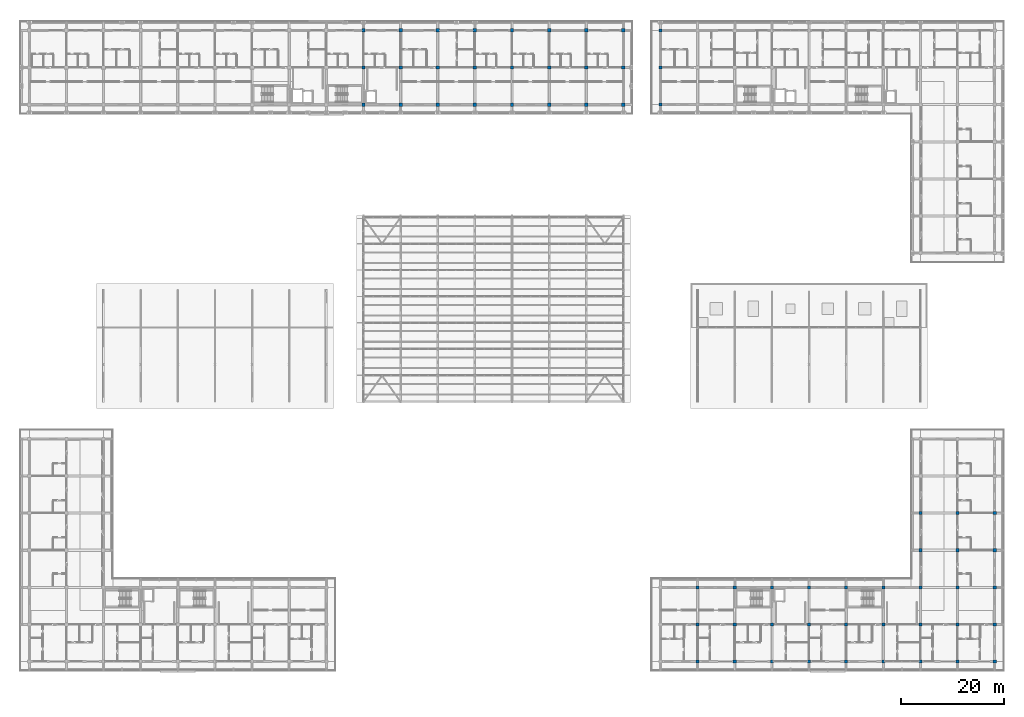
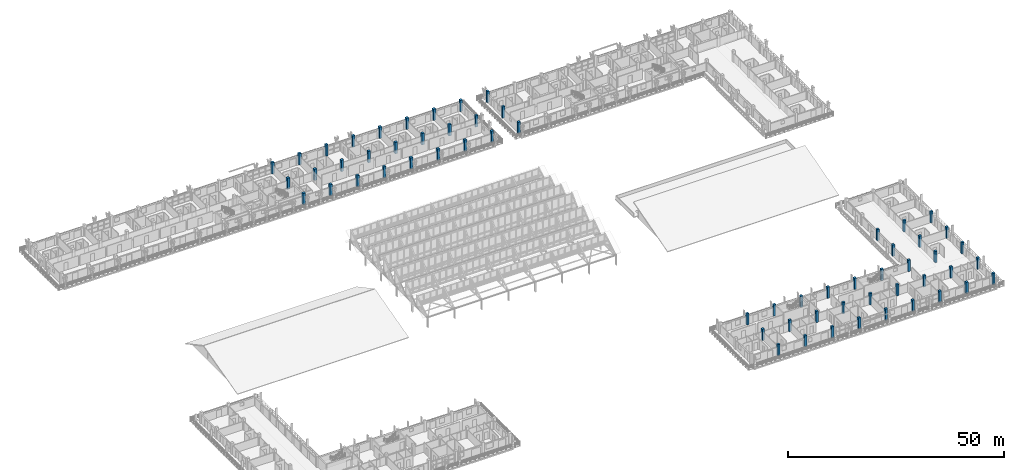
# One storey, part 11 of 157: 60 columns.
"""IFC4 building model written with IfcOpenShell, lengths in metres."""

from ifc_helpers import new_model, si_unit, direction, frame, origin, origin_2d, place, context, subcontext, project, spatial, rectangle, extrude, material, material_profile, profile_set, type_object, element, save


model = new_model("IFC4")

# Units and contexts
model_context = context("Model", 3, precision=1e-05, world=origin(), true_north=direction((0.0, 1.0)))
body_context = subcontext(model_context, "Body", "Model", "MODEL_VIEW")
ifc_project = project(units=[si_unit("LENGTHUNIT", "METRE"), si_unit("AREAUNIT", "SQUARE_METRE"), si_unit("VOLUMEUNIT", "CUBIC_METRE"), si_unit("PLANEANGLEUNIT", "RADIAN"), si_unit("MASSUNIT", "GRAM", prefix="KILO")], contexts=[model_context])

# Site, building, storey
site_placement = place(None, origin())
site = spatial("IfcSite", under=ifc_project, at=site_placement, CompositionType="ELEMENT")
building_placement = place(site_placement, origin())
building = spatial("IfcBuilding", under=site, at=building_placement, Name="Suanplinth Sawtooth Commons", CompositionType="ELEMENT")
storey_placement = place(building_placement, frame((0.0, 0.0, 9.0)))
storey = spatial("IfcBuildingStorey", under=building, at=storey_placement, Name="L02", CompositionType="ELEMENT", Elevation=9.0)

# Columns
ifc_material = material(Name="Precast concrete C40/50", Category="concrete")
ifc_material_profile_1 = material_profile(ifc_material, rectangle(XDim=0.64990234375, YDim=0.64990234375, at=origin_2d()), Name="PC-COL 650x650")
ifc_profile_set_1 = profile_set([ifc_material_profile_1], Name="Precast concrete C40/50")
column_type_1 = type_object("IfcColumnType", Name="C-03", PredefinedType="COLUMN", material=ifc_profile_set_1)
for number, where, z_axis, x_axis, name in (
    (1, (64.800048828125, 108.0, 0.0), (0.0, 0.0, 1.0), (1.0, 0.0, 0.0), "Column L02 10/R"),
    (2, (64.800048828125, 115.199951171875, 0.0), (0.0, 0.0, 1.0), (1.0, 0.0, 0.0), "Column L02 10/S"),
    (3, (64.800048828125, 122.39990234375, 0.0), (0.0, 0.0, 1.0), (1.0, 0.0, 0.0), "Column L02 10/T"),
    (4, (72.0, 108.0, 0.0), (0.0, 0.0, 1.0), (1.0, 0.0, 0.0), "Column L02 11/R"),
    (5, (72.0, 115.199951171875, 0.0), (0.0, 0.0, 1.0), (1.0, 0.0, 0.0), "Column L02 11/S"),
    (6, (72.0, 122.39990234375, 0.0), (0.0, 0.0, 1.0), (1.0, 0.0, 0.0), "Column L02 11/T"),
    (7, (79.199951171875, 108.0, 0.0), (0.0, 0.0, 1.0), (1.0, 0.0, 0.0), "Column L02 12/R"),
    (8, (79.199951171875, 115.199951171875, 0.0), (0.0, 0.0, 1.0), (1.0, 0.0, 0.0), "Column L02 12/S"),
    (9, (79.199951171875, 122.39990234375, 0.0), (0.0, 0.0, 1.0), (1.0, 0.0, 0.0), "Column L02 12/T"),
    (10, (86.39990234375, 108.0, 0.0), (0.0, 0.0, 1.0), (1.0, 0.0, 0.0), "Column L02 13/R"),
    (11, (86.39990234375, 115.199951171875, 0.0), (0.0, 0.0, 1.0), (1.0, 0.0, 0.0), "Column L02 13/S"),
    (12, (86.39990234375, 122.39990234375, 0.0), (0.0, 0.0, 1.0), (1.0, 0.0, 0.0), "Column L02 13/T"),
    (13, (93.60009765625, 108.0, 0.0), (0.0, 0.0, 1.0), (1.0, 0.0, 0.0), "Column L02 14/R"),
    (14, (93.60009765625, 115.199951171875, 0.0), (0.0, 0.0, 1.0), (1.0, 0.0, 0.0), "Column L02 14/S"),
    (15, (93.60009765625, 122.39990234375, 0.0), (0.0, 0.0, 1.0), (1.0, 0.0, 0.0), "Column L02 14/T"),
    (16, (100.800048828125, 108.0, 0.0), (0.0, 0.0, 1.0), (1.0, 0.0, 0.0), "Column L02 15/R"),
    (17, (100.800048828125, 115.199951171875, 0.0), (0.0, 0.0, 1.0), (1.0, 0.0, 0.0), "Column L02 15/S"),
    (18, (100.800048828125, 122.39990234375, 0.0), (0.0, 0.0, 1.0), (1.0, 0.0, 0.0), "Column L02 15/T"),
    (19, (108.0, 108.0, 0.0), (0.0, 0.0, 1.0), (1.0, 0.0, 0.0), "Column L02 16/R"),
    (20, (108.0, 115.199951171875, 0.0), (0.0, 0.0, 1.0), (1.0, 0.0, 0.0), "Column L02 16/S"),
    (21, (108.0, 122.39990234375, 0.0), (0.0, 0.0, 1.0), (1.0, 0.0, 0.0), "Column L02 16/T"),
    (22, (115.199951171875, 108.0, 0.0), (0.0, 0.0, 1.0), (1.0, 0.0, 0.0), "Column L02 17/R"),
    (23, (115.199951171875, 115.199951171875, 0.0), (0.0, 0.0, 1.0), (1.0, 0.0, 0.0), "Column L02 17/S"),
    (24, (115.199951171875, 122.39990234375, 0.0), (0.0, 0.0, 1.0), (1.0, 0.0, 0.0), "Column L02 17/T"),
):
    element("IfcColumn", number, at=place(storey_placement, frame(where, z_axis=z_axis, x_axis=x_axis)), inside=storey, type_object=column_type_1, Name=name, PredefinedType="COLUMN", context=body_context, shape_type="SweptSolid", body=[
        extrude(rectangle(XDim=0.64990234375, YDim=0.64990234375, at=origin_2d()), origin(), (0.0, 0.0, 1.0), 3.199951171875),
    ])
ifc_material_profile_2 = material_profile(ifc_material, rectangle(XDim=0.60009765625, YDim=0.60009765625, at=origin_2d()), Name="PC-COL 600x600")
ifc_profile_set_2 = profile_set([ifc_material_profile_2], Name="Precast concrete C40/50")
column_type_2 = type_object("IfcColumnType", Name="C-04", PredefinedType="COLUMN", material=ifc_profile_set_2)
for number, where, z_axis, x_axis, name in (
    (25, (122.39990234375, 108.0, 0.0), (0.0, 0.0, 1.0), (1.0, 0.0, 0.0), "Column L02 18/R"),
    (26, (122.39990234375, 115.199951171875, 0.0), (0.0, 0.0, 1.0), (1.0, 0.0, 0.0), "Column L02 18/S"),
    (27, (122.39990234375, 122.39990234375, 0.0), (0.0, 0.0, 1.0), (1.0, 0.0, 0.0), "Column L02 18/T"),
    (28, (129.60009765625, 0.0, 0.0), (0.0, 0.0, 1.0), (1.0, 0.0, 0.0), "Column L02 19/A"),
    (29, (129.60009765625, 7.199951171875, 0.0), (0.0, 0.0, 1.0), (1.0, 0.0, 0.0), "Column L02 19/B"),
    (30, (129.60009765625, 14.39990234375, 0.0), (0.0, 0.0, 1.0), (1.0, 0.0, 0.0), "Column L02 19/C"),
    (31, (136.800048828125, 0.0, 0.0), (0.0, 0.0, 1.0), (1.0, 0.0, 0.0), "Column L02 20/A"),
    (32, (136.800048828125, 7.199951171875, 0.0), (0.0, 0.0, 1.0), (1.0, 0.0, 0.0), "Column L02 20/B"),
    (33, (136.800048828125, 14.39990234375, 0.0), (0.0, 0.0, 1.0), (1.0, 0.0, 0.0), "Column L02 20/C"),
    (34, (144.0, 0.0, 0.0), (0.0, 0.0, 1.0), (1.0, 0.0, 0.0), "Column L02 21/A"),
    (35, (144.0, 7.199951171875, 0.0), (0.0, 0.0, 1.0), (1.0, 0.0, 0.0), "Column L02 21/B"),
    (36, (144.0, 14.39990234375, 0.0), (0.0, 0.0, 1.0), (1.0, 0.0, 0.0), "Column L02 21/C"),
    (37, (151.199951171875, 0.0, 0.0), (0.0, 0.0, 1.0), (1.0, 0.0, 0.0), "Column L02 22/A"),
    (38, (151.199951171875, 7.199951171875, 0.0), (0.0, 0.0, 1.0), (1.0, 0.0, 0.0), "Column L02 22/B"),
    (39, (151.199951171875, 14.39990234375, 0.0), (0.0, 0.0, 1.0), (1.0, 0.0, 0.0), "Column L02 22/C"),
    (40, (158.39990234375, 0.0, 0.0), (0.0, 0.0, 1.0), (1.0, 0.0, 0.0), "Column L02 23/A"),
    (41, (158.39990234375, 7.199951171875, 0.0), (0.0, 0.0, 1.0), (1.0, 0.0, 0.0), "Column L02 23/B"),
    (42, (158.39990234375, 14.39990234375, 0.0), (0.0, 0.0, 1.0), (1.0, 0.0, 0.0), "Column L02 23/C"),
    (43, (165.60009765625, 0.0, 0.0), (0.0, 0.0, 1.0), (1.0, 0.0, 0.0), "Column L02 24/A"),
    (44, (165.60009765625, 7.199951171875, 0.0), (0.0, 0.0, 1.0), (1.0, 0.0, 0.0), "Column L02 24/B"),
    (45, (165.60009765625, 14.39990234375, 0.0), (0.0, 0.0, 1.0), (1.0, 0.0, 0.0), "Column L02 24/C"),
    (46, (172.800048828125, 0.0, 0.0), (0.0, 0.0, 1.0), (1.0, 0.0, 0.0), "Column L02 25/A"),
    (47, (172.800048828125, 7.199951171875, 0.0), (0.0, 0.0, 1.0), (1.0, 0.0, 0.0), "Column L02 25/B"),
    (48, (172.800048828125, 14.39990234375, 0.0), (0.0, 0.0, 1.0), (1.0, 0.0, 0.0), "Column L02 25/C"),
    (49, (172.800048828125, 21.60009765625, 0.0), (0.0, 0.0, 1.0), (1.0, 0.0, 0.0), "Column L02 25/D"),
    (50, (172.800048828125, 28.800048828125, 0.0), (0.0, 0.0, 1.0), (1.0, 0.0, 0.0), "Column L02 25/E"),
    (51, (180.0, 0.0, 0.0), (0.0, 0.0, 1.0), (1.0, 0.0, 0.0), "Column L02 26/A"),
    (52, (180.0, 7.199951171875, 0.0), (0.0, 0.0, 1.0), (1.0, 0.0, 0.0), "Column L02 26/B"),
    (53, (180.0, 14.39990234375, 0.0), (0.0, 0.0, 1.0), (1.0, 0.0, 0.0), "Column L02 26/C"),
    (54, (180.0, 21.60009765625, 0.0), (0.0, 0.0, 1.0), (1.0, 0.0, 0.0), "Column L02 26/D"),
    (55, (180.0, 28.800048828125, 0.0), (0.0, 0.0, 1.0), (1.0, 0.0, 0.0), "Column L02 26/E"),
    (56, (187.199951171875, 0.0, 0.0), (0.0, 0.0, 1.0), (1.0, 0.0, 0.0), "Column L02 27/A"),
    (57, (187.199951171875, 7.199951171875, 0.0), (0.0, 0.0, 1.0), (1.0, 0.0, 0.0), "Column L02 27/B"),
    (58, (187.199951171875, 14.39990234375, 0.0), (0.0, 0.0, 1.0), (1.0, 0.0, 0.0), "Column L02 27/C"),
    (59, (187.199951171875, 21.60009765625, 0.0), (0.0, 0.0, 1.0), (1.0, 0.0, 0.0), "Column L02 27/D"),
    (60, (187.199951171875, 28.800048828125, 0.0), (0.0, 0.0, 1.0), (1.0, 0.0, 0.0), "Column L02 27/E"),
):
    element("IfcColumn", number, at=place(storey_placement, frame(where, z_axis=z_axis, x_axis=x_axis)), inside=storey, type_object=column_type_2, Name=name, PredefinedType="COLUMN", context=body_context, shape_type="SweptSolid", body=[
        extrude(rectangle(XDim=0.60009765625, YDim=0.60009765625, at=origin_2d()), origin(), (0.0, 0.0, 1.0), 3.199951171875),
    ])

save(model, "model.ifc")
